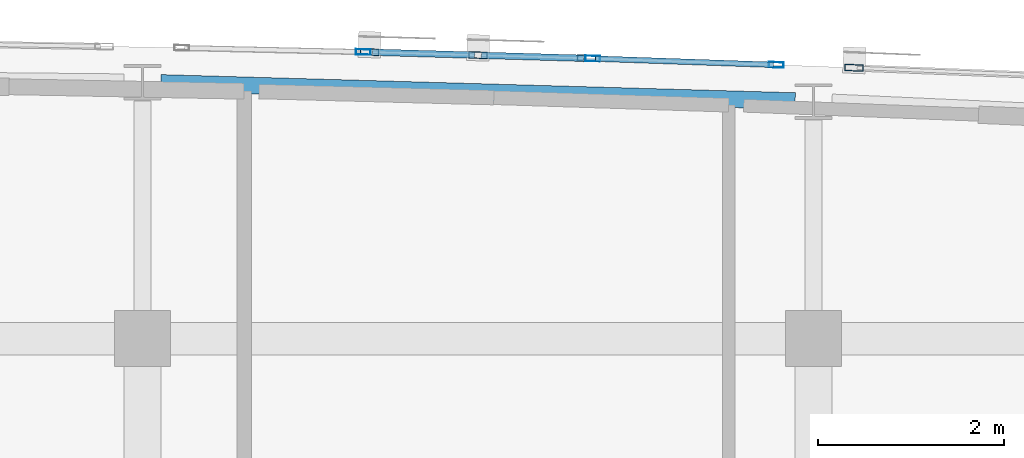
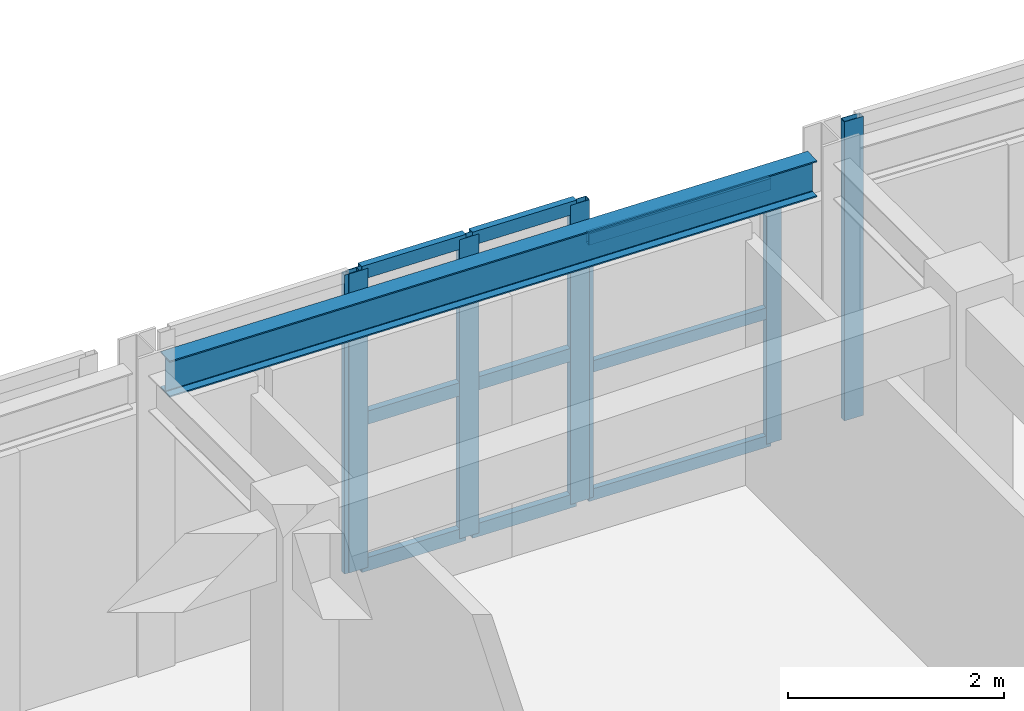
# One storey, part 18 of 41: 16 members, 1 beam, 4 elements without a shape of their own.
"""IFC4 building model written with IfcOpenShell, lengths in metres."""

from ifc_helpers import new_model, si_unit, direction, frame, origin, origin_2d, place, context, subcontext, project, spatial, hollow_rectangle, i_section, extrude, material, layer, layer_set, material_profile, profile_set, type_object, element, aggregate, save


model = new_model("IFC4")

# Units and contexts
model_context = context("Model", 3, precision=1e-05, world=origin(), true_north=direction((0.0, 1.0)))
body_context = subcontext(model_context, "Body", "Model", "MODEL_VIEW")
ifc_project = project(units=[si_unit("LENGTHUNIT", "METRE"), si_unit("AREAUNIT", "SQUARE_METRE"), si_unit("VOLUMEUNIT", "CUBIC_METRE"), si_unit("PLANEANGLEUNIT", "RADIAN"), si_unit("MASSUNIT", "GRAM", prefix="KILO")], contexts=[model_context])

# Site, building, storey
site_placement = place(None, origin())
site = spatial("IfcSite", under=ifc_project, at=site_placement, CompositionType="ELEMENT")
building_placement = place(site_placement, origin())
building = spatial("IfcBuilding", under=site, at=building_placement, Name="Carrowvane Square Congress Hotel", CompositionType="ELEMENT")
storey_placement = place(building_placement, frame((0.0, 0.0, 37.199951171875)))
storey = spatial("IfcBuildingStorey", under=building, at=storey_placement, Name="L09", CompositionType="ELEMENT", Elevation=37.199951171875)

# Beam
ifc_material_1 = material(Name="Steel S355", Category="steel")
ifc_material_profile_1 = material_profile(ifc_material_1, i_section(OverallWidth=0.1787109375, OverallDepth=0.409423828125, WebThickness=0.0087890625, FlangeThickness=0.014404296875, FilletRadius=0.01025390625, at=origin_2d()), Name="UKB 406x178x67")
ifc_profile_set_1 = profile_set([ifc_material_profile_1], Name="Steel S355")
beam_type = type_object("IfcBeamType", Name="BM-ST-UKB406", PredefinedType="BEAM", material=ifc_profile_set_1)
beam_placement = place(storey_placement, frame((105.397216796875, 116.14404296875, 3.17529296875), z_axis=(0.999592525084, -0.028544417936, 0.0), x_axis=(0.028544417936, 0.999592525084, 0.0)))
element("IfcBeam", 1, at=beam_placement, inside=storey, type_object=beam_type, Name="L10 curved north spandrel", PredefinedType="BEAM", context=body_context, shape_type="SweptSolid", body=[
    extrude(i_section(OverallWidth=0.1787109375, OverallDepth=0.409423828125, WebThickness=0.0087890625, FlangeThickness=0.014404296875, FilletRadius=0.01025390625, at=origin_2d()), origin(), (0.0, 0.0, 1.0), 6.80810546875),
])

# Curtain wall, member
ifc_material_2 = material(Name="Anodised aluminium", Category="aluminium")
ifc_layer_1 = layer(ifc_material_2, 0.23388671875)
ifc_layer_set_1 = layer_set([ifc_layer_1], Name="Anodised aluminium")
curtain_wall_type_1 = type_object("IfcCurtainWallType", Name="CW-SYS-7", PredefinedType="NOTDEFINED", material=ifc_layer_set_1)
curtain_wall_1_placement = place(storey_placement, origin())
curtain_wall_1 = element("IfcCurtainWall", 2, at=curtain_wall_1_placement, inside=storey, type_object=curtain_wall_type_1, Name="L09 unitised curtain wall 534", PredefinedType="NOTDEFINED")
ifc_material_3 = material(Name="Anodised aluminium", Category="aluminium")
ifc_material_profile_2 = material_profile(ifc_material_3, hollow_rectangle(XDim=0.06005859375, YDim=0.159912109375, WallThickness=0.00390625, at=origin_2d()), Name="CW-ML 60x160x4")
ifc_profile_set_2 = profile_set([ifc_material_profile_2], Name="Anodised aluminium")
member_type_1 = type_object("IfcMemberType", Name="CW-MUL-1", PredefinedType="MULLION", material=ifc_profile_set_2)
member_1_placement = place(storey_placement, frame((107.570068359375, 116.476318359375, 0.0), z_axis=(0.0, 0.0, 1.0), x_axis=(0.022517686606, 0.99974644475, 0.0)))
member_1 = element("IfcMember", 3, at=member_1_placement, type_object=member_type_1, Name="CW-7 mullion 2", PredefinedType="MULLION", context=body_context, shape_type="SweptSolid", body=[
    extrude(hollow_rectangle(XDim=0.06005859375, YDim=0.159912109375, WallThickness=0.00390625, at=origin_2d()), origin(), (0.0, 0.0, 1.0), 3.380126953125),
])
aggregate(curtain_wall_1, [member_1])

# Curtain wall, members
ifc_material_4 = material(Name="Anodised aluminium", Category="aluminium")
ifc_layer_2 = layer(ifc_material_4, 0.162109375)
ifc_layer_set_2 = layer_set([ifc_layer_2], Name="Anodised aluminium")
curtain_wall_type_2 = type_object("IfcCurtainWallType", Name="CW-SYS-1", PredefinedType="NOTDEFINED", material=ifc_layer_set_2)
curtain_wall_2_placement = place(storey_placement, origin())
curtain_wall_2 = element("IfcCurtainWall", 4, at=curtain_wall_2_placement, inside=storey, type_object=curtain_wall_type_2, Name="L09 unitised curtain wall 536", PredefinedType="NOTDEFINED")
member_2_placement = place(storey_placement, frame((110.030029296875, 116.406005859375, 0.0), z_axis=(0.0, 0.0, 1.0), x_axis=(0.034529948347, 0.999403663525, 0.0)))
member_2 = element("IfcMember", 5, at=member_2_placement, type_object=member_type_1, Name="CW-1 mullion 1", PredefinedType="MULLION", context=body_context, shape_type="SweptSolid", body=[
    extrude(hollow_rectangle(XDim=0.06005859375, YDim=0.159912109375, WallThickness=0.00390625, at=origin_2d()), origin(), (0.0, 0.0, 1.0), 2.95556640625),
])
member_3_placement = place(storey_placement, frame((111.99951171875, 116.337890625, 0.0), z_axis=(0.0, 0.0, 1.0), x_axis=(0.034529948347, 0.999403663525, 0.0)))
member_3 = element("IfcMember", 6, at=member_3_placement, type_object=member_type_1, Name="CW-1 mullion 2", PredefinedType="MULLION", context=body_context, shape_type="SweptSolid", body=[
    extrude(hollow_rectangle(XDim=0.06005859375, YDim=0.159912109375, WallThickness=0.00390625, at=origin_2d()), origin(), (0.0, 0.0, 1.0), 2.95556640625),
])

ifc_material_5 = material(Name="Anodised aluminium", Category="aluminium")
ifc_layer_3 = layer(ifc_material_5, 0.24609375)
ifc_layer_set_3 = layer_set([ifc_layer_3], Name="Anodised aluminium")
curtain_wall_type_3 = type_object("IfcCurtainWallType", Name="CW-SYS-8", PredefinedType="NOTDEFINED", material=ifc_layer_set_3)
curtain_wall_3_placement = place(storey_placement, origin())
curtain_wall_3 = element("IfcCurtainWall", 7, at=curtain_wall_3_placement, inside=storey, type_object=curtain_wall_type_3, Name="L09 unitised curtain wall 535", PredefinedType="NOTDEFINED")
ifc_material_6 = material(Name="Anodised aluminium", Category="aluminium")
ifc_material_profile_3 = material_profile(ifc_material_6, hollow_rectangle(XDim=0.070068359375, YDim=0.199951171875, WallThickness=0.0048828125, at=origin_2d()), Name="CW-ML 70x200x5")
ifc_profile_set_3 = profile_set([ifc_material_profile_3], Name="Anodised aluminium")
member_type_2 = type_object("IfcMemberType", Name="CW-MUL-2", PredefinedType="MULLION", material=ifc_profile_set_3)
member_4_placement = place(storey_placement, frame((107.635009765625, 116.474609375, 0.0), z_axis=(0.0, 0.0, 1.0), x_axis=(0.028638010501, 0.999589848065, 0.0)))
member_4 = element("IfcMember", 8, at=member_4_placement, type_object=member_type_2, Name="CW-8 mullion 1", PredefinedType="MULLION", context=body_context, shape_type="SweptSolid", body=[
    extrude(hollow_rectangle(XDim=0.070068359375, YDim=0.199951171875, WallThickness=0.0048828125, at=origin_2d()), origin(), (0.0, 0.0, 1.0), 3.380126953125),
])
member_5_placement = place(storey_placement, frame((108.800048828125, 116.44140625, 0.0), z_axis=(0.0, 0.0, 1.0), x_axis=(0.028638010501, 0.999589848065, 0.0)))
member_5 = element("IfcMember", 9, at=member_5_placement, type_object=member_type_2, Name="CW-8 mullion 2", PredefinedType="MULLION", context=body_context, shape_type="SweptSolid", body=[
    extrude(hollow_rectangle(XDim=0.070068359375, YDim=0.199951171875, WallThickness=0.0048828125, at=origin_2d()), origin(), (0.0, 0.0, 1.0), 3.380126953125),
])
member_6_placement = place(storey_placement, frame((109.965087890625, 116.407958984375, 0.0), z_axis=(0.0, 0.0, 1.0), x_axis=(0.028638010501, 0.999589848065, 0.0)))
member_6 = element("IfcMember", 10, at=member_6_placement, type_object=member_type_2, Name="CW-8 mullion 3", PredefinedType="MULLION", context=body_context, shape_type="SweptSolid", body=[
    extrude(hollow_rectangle(XDim=0.070068359375, YDim=0.199951171875, WallThickness=0.0048828125, at=origin_2d()), origin(), (0.0, 0.0, 1.0), 3.380126953125),
])

# Curtain wall, member
ifc_material_7 = material(Name="Anodised aluminium", Category="aluminium")
ifc_layer_4 = layer(ifc_material_7, 0.174072265625)
ifc_layer_set_4 = layer_set([ifc_layer_4], Name="Anodised aluminium")
curtain_wall_type_4 = type_object("IfcCurtainWallType", Name="CW-SYS-2", PredefinedType="NOTDEFINED", material=ifc_layer_set_4)
curtain_wall_4_placement = place(storey_placement, origin())
curtain_wall_4 = element("IfcCurtainWall", 11, at=curtain_wall_4_placement, inside=storey, type_object=curtain_wall_type_4, Name="L09 unitised curtain wall 537", PredefinedType="NOTDEFINED")
member_7_placement = place(storey_placement, frame((112.833740234375, 116.306640625, 0.0), z_axis=(0.0, 0.0, 1.0), x_axis=(0.040130957403, 0.999194428656, 0.0)))
member_7 = element("IfcMember", 12, at=member_7_placement, type_object=member_type_2, Name="CW-2 mullion 1", PredefinedType="MULLION", context=body_context, shape_type="SweptSolid", body=[
    extrude(hollow_rectangle(XDim=0.070068359375, YDim=0.199951171875, WallThickness=0.0048828125, at=origin_2d()), origin(), (0.0, 0.0, 1.0), 3.380126953125),
])
aggregate(curtain_wall_4, [member_7])

# Member
ifc_material_8 = material(Name="Anodised aluminium", Category="aluminium")
ifc_material_profile_4 = material_profile(ifc_material_8, hollow_rectangle(XDim=0.06005859375, YDim=0.1298828125, WallThickness=0.00390625, at=origin_2d()), Name="CW-TR 60x130x4")
ifc_profile_set_4 = profile_set([ifc_material_profile_4], Name="Anodised aluminium")
member_type_3 = type_object("IfcMemberType", Name="CW-TRN-1", PredefinedType="USERDEFINED", material=ifc_profile_set_4)
member_8_placement = place(storey_placement, frame((110.06005859375, 116.40478515625, 0.030029296875), z_axis=(0.999404632698, -0.034501886054, 0.0), x_axis=(0.034501886054, 0.999404632698, 0.0)))
member_8 = element("IfcMember", 13, at=member_8_placement, type_object=member_type_3, Name="CW-1 transom 1.1", ObjectType="TRANSOM", PredefinedType="USERDEFINED", context=body_context, shape_type="SweptSolid", body=[
    extrude(hollow_rectangle(XDim=0.06005859375, YDim=0.1298828125, WallThickness=0.00390625, at=origin_2d()), origin(), (0.0, 0.0, 1.0), 1.91064453125),
])

member_9_placement = place(storey_placement, frame((110.06005859375, 116.40478515625, 1.477783203125), z_axis=(0.999404632698, -0.034501886054, 0.0), x_axis=(0.034501886054, 0.999404632698, 0.0)))
member_9 = element("IfcMember", 14, at=member_9_placement, type_object=member_type_3, Name="CW-1 transom 1.2", ObjectType="TRANSOM", PredefinedType="USERDEFINED", context=body_context, shape_type="SweptSolid", body=[
    extrude(hollow_rectangle(XDim=0.06005859375, YDim=0.1298828125, WallThickness=0.00390625, at=origin_2d()), origin(), (0.0, 0.0, 1.0), 1.91064453125),
])

member_10_placement = place(storey_placement, frame((110.06005859375, 116.40478515625, 2.925537109375), z_axis=(0.999404632698, -0.034501886054, 0.0), x_axis=(0.034501886054, 0.999404632698, 0.0)))
member_10 = element("IfcMember", 15, at=member_10_placement, type_object=member_type_3, Name="CW-1 transom 1.3", ObjectType="TRANSOM", PredefinedType="USERDEFINED", context=body_context, shape_type="SweptSolid", body=[
    extrude(hollow_rectangle(XDim=0.06005859375, YDim=0.1298828125, WallThickness=0.00390625, at=origin_2d()), origin(), (0.0, 0.0, 1.0), 1.91064453125),
])

aggregate(curtain_wall_2, [member_2, member_3, member_8, member_9, member_10])

ifc_material_9 = material(Name="Anodised aluminium", Category="aluminium")
ifc_material_profile_5 = material_profile(ifc_material_9, hollow_rectangle(XDim=0.070068359375, YDim=0.14990234375, WallThickness=0.0048828125, at=origin_2d()), Name="CW-TR 70x150x5")
ifc_profile_set_5 = profile_set([ifc_material_profile_5], Name="Anodised aluminium")
member_type_4 = type_object("IfcMemberType", Name="CW-TRN-2", PredefinedType="USERDEFINED", material=ifc_profile_set_5)
member_11_placement = place(storey_placement, frame((107.669921875, 116.4736328125, 0.03515625), z_axis=(0.99959317623, -0.028521606455, 0.0), x_axis=(0.028521606455, 0.99959317623, 0.0)))
member_11 = element("IfcMember", 16, at=member_11_placement, type_object=member_type_4, Name="CW-8 transom 1.1", ObjectType="TRANSOM", PredefinedType="USERDEFINED", context=body_context, shape_type="SweptSolid", body=[
    extrude(hollow_rectangle(XDim=0.070068359375, YDim=0.14990234375, WallThickness=0.0048828125, at=origin_2d()), origin(), (0.0, 0.0, 1.0), 1.095703125),
])

member_12_placement = place(storey_placement, frame((107.669921875, 116.4736328125, 1.68994140625), z_axis=(0.99959317623, -0.028521606455, 0.0), x_axis=(0.028521606455, 0.99959317623, 0.0)))
member_12 = element("IfcMember", 17, at=member_12_placement, type_object=member_type_4, Name="CW-8 transom 1.2", ObjectType="TRANSOM", PredefinedType="USERDEFINED", context=body_context, shape_type="SweptSolid", body=[
    extrude(hollow_rectangle(XDim=0.070068359375, YDim=0.14990234375, WallThickness=0.0048828125, at=origin_2d()), origin(), (0.0, 0.0, 1.0), 1.095703125),
])

member_13_placement = place(storey_placement, frame((107.669921875, 116.4736328125, 3.344970703125), z_axis=(0.99959317623, -0.028521606455, 0.0), x_axis=(0.028521606455, 0.99959317623, 0.0)))
member_13 = element("IfcMember", 18, at=member_13_placement, type_object=member_type_4, Name="CW-8 transom 1.3", ObjectType="TRANSOM", PredefinedType="USERDEFINED", context=body_context, shape_type="SweptSolid", body=[
    extrude(hollow_rectangle(XDim=0.070068359375, YDim=0.14990234375, WallThickness=0.0048828125, at=origin_2d()), origin(), (0.0, 0.0, 1.0), 1.095703125),
])

member_14_placement = place(storey_placement, frame((108.8349609375, 116.4404296875, 0.03515625), z_axis=(0.999586614567, -0.02875065179, 0.0), x_axis=(0.02875065179, 0.999586614567, 0.0)))
member_14 = element("IfcMember", 19, at=member_14_placement, type_object=member_type_4, Name="CW-8 transom 2.1", ObjectType="TRANSOM", PredefinedType="USERDEFINED", context=body_context, shape_type="SweptSolid", body=[
    extrude(hollow_rectangle(XDim=0.070068359375, YDim=0.14990234375, WallThickness=0.0048828125, at=origin_2d()), origin(), (0.0, 0.0, 1.0), 1.095458984375),
])

member_15_placement = place(storey_placement, frame((108.8349609375, 116.4404296875, 1.68994140625), z_axis=(0.999586614567, -0.02875065179, 0.0), x_axis=(0.02875065179, 0.999586614567, 0.0)))
member_15 = element("IfcMember", 20, at=member_15_placement, type_object=member_type_4, Name="CW-8 transom 2.2", ObjectType="TRANSOM", PredefinedType="USERDEFINED", context=body_context, shape_type="SweptSolid", body=[
    extrude(hollow_rectangle(XDim=0.070068359375, YDim=0.14990234375, WallThickness=0.0048828125, at=origin_2d()), origin(), (0.0, 0.0, 1.0), 1.095458984375),
])

member_16_placement = place(storey_placement, frame((108.8349609375, 116.4404296875, 3.344970703125), z_axis=(0.999586614567, -0.02875065179, 0.0), x_axis=(0.02875065179, 0.999586614567, 0.0)))
member_16 = element("IfcMember", 21, at=member_16_placement, type_object=member_type_4, Name="CW-8 transom 2.3", ObjectType="TRANSOM", PredefinedType="USERDEFINED", context=body_context, shape_type="SweptSolid", body=[
    extrude(hollow_rectangle(XDim=0.070068359375, YDim=0.14990234375, WallThickness=0.0048828125, at=origin_2d()), origin(), (0.0, 0.0, 1.0), 1.095458984375),
])

aggregate(curtain_wall_3, [member_4, member_5, member_6, member_11, member_12, member_13, member_14, member_15, member_16])

save(model, "model.ifc")
